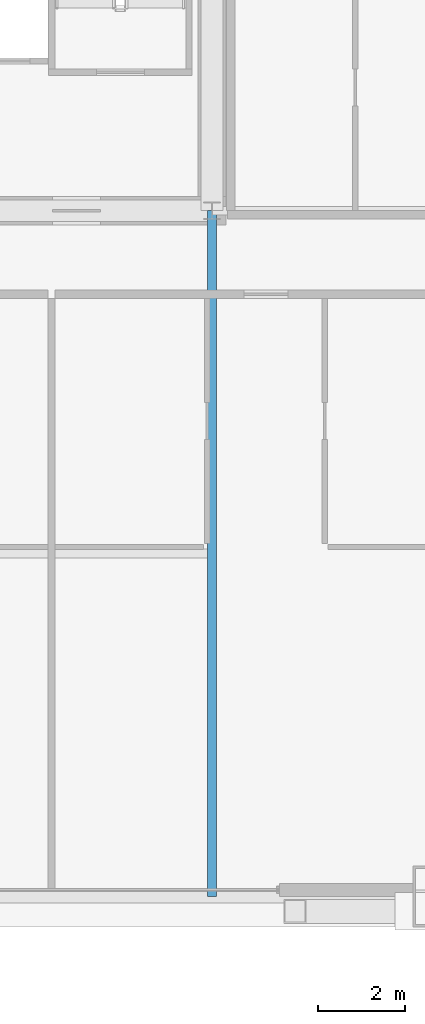
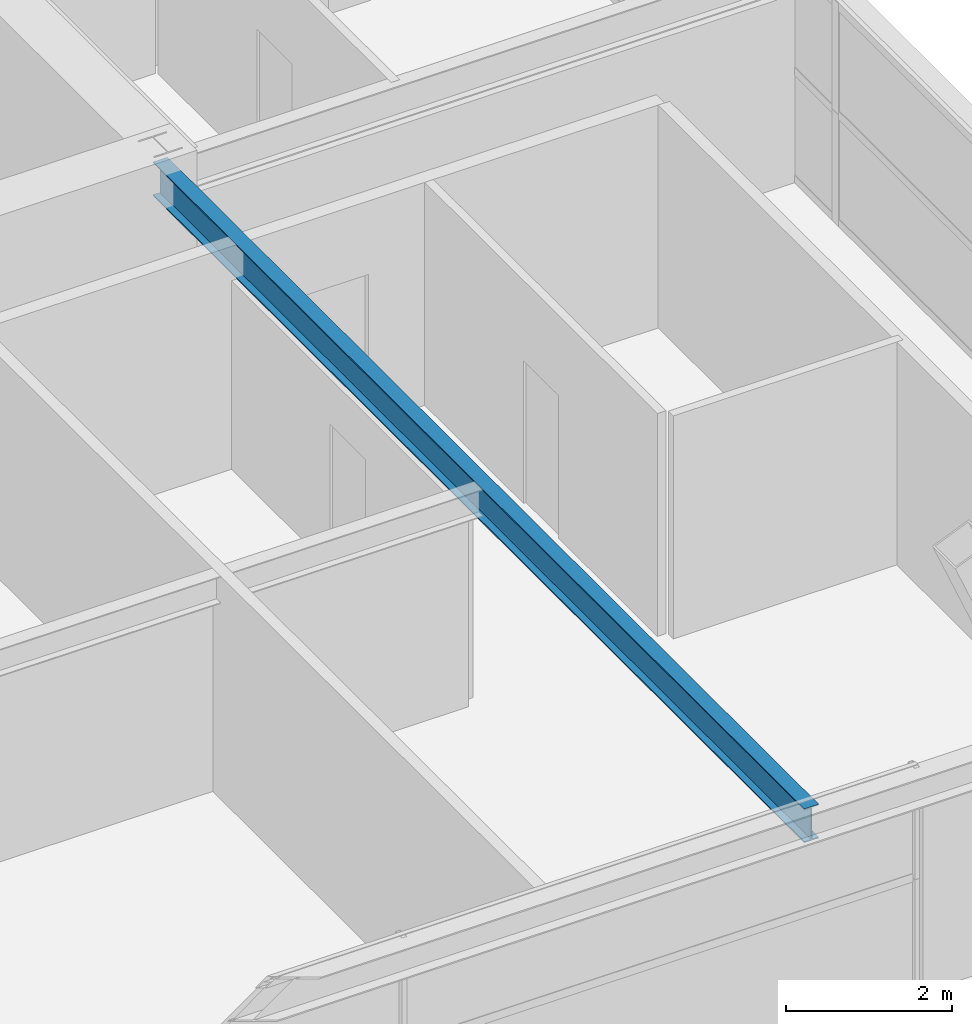
# One storey, part 18 of 42: 1 beam.
"""IFC4 building model written with IfcOpenShell, lengths in metres."""

from ifc_helpers import new_model, si_unit, direction, frame, origin, origin_2d, place, context, subcontext, project, spatial, i_section, extrude, source, transform, mapped, material, material_profile, profile_set, type_object, element, save


model = new_model("IFC4")

# Units and contexts
model_context = context("Model", 3, precision=1e-05, world=origin(), true_north=direction((0.0, 1.0)))
body_context = subcontext(model_context, "Body", "Model", "MODEL_VIEW")
ifc_project = project(units=[si_unit("LENGTHUNIT", "METRE"), si_unit("AREAUNIT", "SQUARE_METRE"), si_unit("VOLUMEUNIT", "CUBIC_METRE"), si_unit("PLANEANGLEUNIT", "RADIAN"), si_unit("MASSUNIT", "GRAM", prefix="KILO"), si_unit("THERMODYNAMICTEMPERATUREUNIT", "KELVIN"), si_unit("POWERUNIT", "WATT")], contexts=[model_context])

# Site, building, storey
site_placement = place(None, origin())
site = spatial("IfcSite", under=ifc_project, at=site_placement, CompositionType="ELEMENT")
building_placement = place(site_placement, origin())
building = spatial("IfcBuilding", under=site, at=building_placement, Name="Yuzanri Waterfront Tower", CompositionType="ELEMENT")
storey_placement = place(building_placement, frame((0.0, 0.0, 184.5)))
storey = spatial("IfcBuildingStorey", under=building, at=storey_placement, Name="L48", CompositionType="ELEMENT", Elevation=184.5)

# Beam
ifc_material = material(Name="Steel Q355B", Category="steel")
ifc_material_profile = material_profile(ifc_material, i_section(OverallWidth=0.199951171875, OverallDepth=0.5, WebThickness=0.010009765625, FlangeThickness=0.01611328125, at=origin_2d()), Name="HN 500x200x10x16")
ifc_profile_set = profile_set([ifc_material_profile], Name="Steel Q355B")
beam_type = type_object("IfcBeamType", Name="Secondary Floor Beam Q355B HN 500x200", PredefinedType="BEAM", material=ifc_profile_set)
shared_shape = source(origin(), body_context, "Body", "SweptSolid", [
    extrude(i_section(OverallWidth=0.199951171875, OverallDepth=0.5, WebThickness=0.010009765625, FlangeThickness=0.01611328125, at=origin_2d()), origin(), (0.0, 0.0, 1.0), 15.699951171875),
])
beam_placement = place(storey_placement, frame((50.199951171875, 19.39990234375, 3.030029296875), z_axis=(0.0, -1.0, 0.0), x_axis=(1.0, 0.0, 0.0)))
element("IfcBeam", 1, at=beam_placement, inside=storey, type_object=beam_type, Name="L48 South-East Core Line Beam", PredefinedType="BEAM", context=body_context, shape_type="MappedRepresentation", body=[
    mapped(shared_shape, transform((0.0, 0.0, 0.0), scale=1.0)),
])

save(model, "model.ifc")
